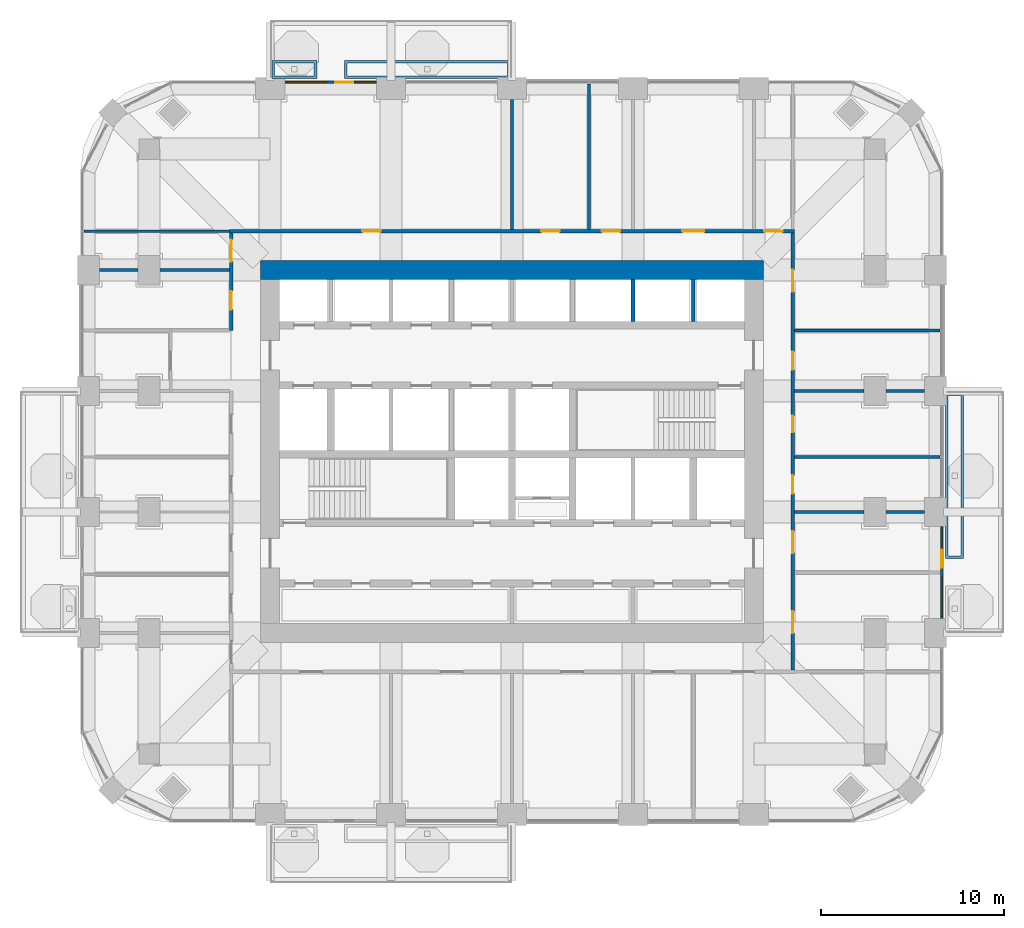
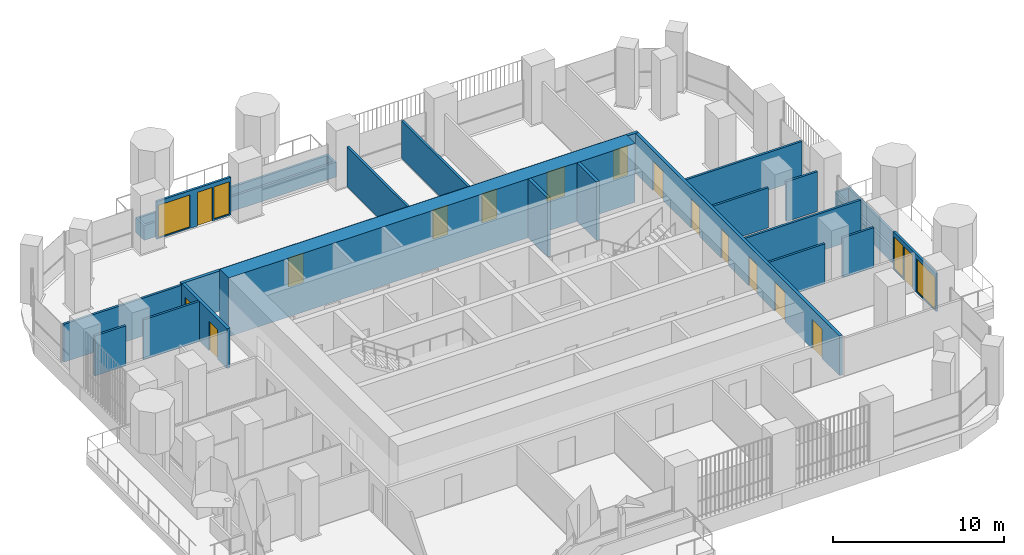
# One storey, part 14 of 20: 22 walls, 15 doors, 4 windows, 19 openings.
"""IFC4 building model written with IfcOpenShell, lengths in metres."""

from ifc_helpers import new_model, si_unit, direction, frame, frame_2d, origin, place, context, subcontext, project, spatial, polyline, rectangle, outline, extrude, material, layer, layer_set, type_object, element, fill, save


model = new_model("IFC4")

# Units and contexts
model_context = context("Model", 3, precision=1e-05, world=origin(), true_north=direction((0.0, 1.0)))
body_context = subcontext(model_context, "Body", "Model", "MODEL_VIEW")
ifc_project = project(units=[si_unit("LENGTHUNIT", "METRE"), si_unit("AREAUNIT", "SQUARE_METRE"), si_unit("VOLUMEUNIT", "CUBIC_METRE"), si_unit("PLANEANGLEUNIT", "RADIAN"), si_unit("MASSUNIT", "GRAM", prefix="KILO")], contexts=[model_context])

# Site, building, storey
site_placement = place(None, origin())
site = spatial("IfcSite", under=ifc_project, at=site_placement, CompositionType="ELEMENT")
building_placement = place(site_placement, origin())
building = spatial("IfcBuilding", under=site, at=building_placement, Name="Cobogo Forest Laboratory Tower", CompositionType="ELEMENT")
storey_placement = place(building_placement, frame((0.0, 0.0, 185.10009765625)))
storey = spatial("IfcBuildingStorey", under=building, at=storey_placement, Name="L42", CompositionType="ELEMENT", Elevation=185.10009765625)

# Wall
ifc_material_1 = material(Name="Concrete HA-50 (C50/60)", Category="concrete")
ifc_layer_1 = layer(ifc_material_1, 1.050048828125)
ifc_layer_set_1 = layer_set([ifc_layer_1], Name="CW1050 core outer wall 1050")
wall_type_1 = type_object("IfcWallType", Name="CW1050 core outer wall 1050", PredefinedType="SHEAR", material=ifc_layer_set_1)
wall_1_placement = place(storey_placement, frame((40.125, 33.0, 0.0), z_axis=(0.0, 0.0, 1.0), x_axis=(-1.0, 0.0, 0.0)))
element("IfcWall", 1, at=wall_1_placement, inside=storey, type_object=wall_type_1, Name="Core wall CO-N L42", PredefinedType="SHEAR", context=body_context, shape_type="SweptSolid", body=[
    extrude(rectangle(XDim=27.449951171875, YDim=1.050048828125, at=frame_2d((13.72509765625, 0.0))), origin(), (0.0, 0.0, 1.0), 4.199951171875),
])

# Wall, openings, door, windows
ifc_material_2 = material(Name="Aluminium framed glazed screen", Category="aluminium")
ifc_layer_2 = layer(ifc_material_2, 0.14990234375)
ifc_layer_set_2 = layer_set([ifc_layer_2], Name="GS1 glazed door screen 150")
wall_type_2 = type_object("IfcWallType", Name="GS1 glazed door screen 150", PredefinedType="SOLIDWALL", material=ifc_layer_set_2)
wall_2_placement = place(storey_placement, frame((49.85009765625, 14.0, 0.0), z_axis=(0.0, 0.0, 1.0), x_axis=(0.0, 1.0, 0.0)))
wall_2 = element("IfcWall", 2, at=wall_2_placement, inside=storey, type_object=wall_type_2, Name="Door screen BAL-E1 L42", PredefinedType="SOLIDWALL", context=body_context, shape_type="SweptSolid", body=[
    extrude(rectangle(XDim=5.0, YDim=0.14990234375, at=frame_2d((2.5, 0.0))), origin(), (0.0, 0.0, 1.0), 2.699951171875),
])
opening_1_placement = place(wall_2_placement, frame((2.75, 0.0, 0.0)))
opening_1 = element("IfcOpeningElement", 3, at=opening_1_placement, cuts=wall_2, Name="Opening L42-D19", PredefinedType="OPENING", context=body_context, shape_type="SweptSolid", body=[
    extrude(rectangle(XDim=1.0, YDim=2.39990234375, at=frame_2d((0.5, 1.199951171875))), frame((0.0, 0.0849609375, 0.0), z_axis=(0.0, -1.0, 0.0), x_axis=(1.0, 0.0, 0.0)), (0.0, 0.0, 1.0), 0.169921875),
])
opening_2_placement = place(wall_2_placement, frame((0.10009765625, 0.0, 0.10009765625)))
opening_2 = element("IfcOpeningElement", 4, at=opening_2_placement, cuts=wall_2, Name="Opening L42-W04", PredefinedType="OPENING", context=body_context, shape_type="SweptSolid", body=[
    extrude(rectangle(XDim=2.14990234375, YDim=2.300048828125, at=frame_2d((1.074951171875, 1.14990234375))), frame((0.0, 0.0849609375, 0.0), z_axis=(0.0, -1.0, 0.0), x_axis=(1.0, 0.0, 0.0)), (0.0, 0.0, 1.0), 0.169921875),
])
opening_3_placement = place(wall_2_placement, frame((3.85009765625, 0.0, 0.10009765625)))
opening_3 = element("IfcOpeningElement", 5, at=opening_3_placement, cuts=wall_2, Name="Opening L42-W06", PredefinedType="OPENING", context=body_context, shape_type="SweptSolid", body=[
    extrude(rectangle(XDim=1.050048828125, YDim=2.300048828125, at=frame_2d((0.52490234375, 1.14990234375))), frame((0.0, 0.0849609375, 0.0), z_axis=(0.0, -1.0, 0.0), x_axis=(1.0, 0.0, 0.0)), (0.0, 0.0, 1.0), 0.169921875),
])
ifc_material_3 = material(Name="Aluminium glazed door", Category="aluminium")
door_type_1 = type_object("IfcDoorType", Name="DB1 balcony door 1000 glazed", OperationType="SINGLE_SWING_LEFT", PredefinedType="DOOR", material=ifc_material_3)
door_1_placement = place(opening_1_placement, origin())
door_1 = element("IfcDoor", 6, at=door_1_placement, inside=storey, type_object=door_type_1, Name="Door L42-BAL-E1", OperationType="SINGLE_SWING_RIGHT", OverallHeight=2.39990234375, OverallWidth=1.0, PredefinedType="DOOR", context=body_context, shape_type="SweptSolid", body=[
    extrude(rectangle(XDim=1.0, YDim=2.39990234375, at=frame_2d((0.5, 1.199951171875))), frame((0.0, 0.02490234375, 0.0), z_axis=(0.0, -1.0, 0.0), x_axis=(1.0, 0.0, 0.0)), (0.0, 0.0, 1.0), 0.050048828125),
])
fill(opening_1, door_1)
ifc_material_4 = material(Name="Aluminium framed glazing", Category="aluminium")
window_type_1 = type_object("IfcWindowType", Name="WG13 fixed glazed light 2150x2300", PartitioningType="SINGLE_PANEL", PredefinedType="WINDOW", material=ifc_material_4)
window_1_placement = place(opening_2_placement, origin())
window_1 = element("IfcWindow", 7, at=window_1_placement, inside=storey, type_object=window_type_1, Name="Window L42-BAL-E1-1", OverallHeight=2.300048828125, OverallWidth=2.14990234375, PartitioningType="SINGLE_PANEL", PredefinedType="WINDOW", context=body_context, shape_type="SweptSolid", body=[
    extrude(rectangle(XDim=2.14990234375, YDim=2.300048828125, at=frame_2d((1.074951171875, 1.14990234375))), frame((0.0, 0.030029296875, 0.0), z_axis=(0.0, -1.0, 0.0), x_axis=(1.0, 0.0, 0.0)), (0.0, 0.0, 1.0), 0.06005859375),
])
fill(opening_2, window_1)
window_type_2 = type_object("IfcWindowType", Name="WG14 fixed glazed light 1050x2300", PartitioningType="SINGLE_PANEL", PredefinedType="WINDOW", material=ifc_material_4)
window_2_placement = place(opening_3_placement, origin())
window_2 = element("IfcWindow", 8, at=window_2_placement, inside=storey, type_object=window_type_2, Name="Window L42-BAL-E1-2", OverallHeight=2.300048828125, OverallWidth=1.050048828125, PartitioningType="SINGLE_PANEL", PredefinedType="WINDOW", context=body_context, shape_type="SweptSolid", body=[
    extrude(rectangle(XDim=1.050048828125, YDim=2.300048828125, at=frame_2d((0.52490234375, 1.14990234375))), frame((0.0, 0.030029296875, 0.0), z_axis=(0.0, -1.0, 0.0), x_axis=(1.0, 0.0, 0.0)), (0.0, 0.0, 1.0), 0.06005859375),
])
fill(opening_3, window_2)

wall_3_placement = place(storey_placement, frame((19.0, 43.25, 0.0), z_axis=(0.0, 0.0, 1.0), x_axis=(-1.0, 0.0, 0.0)))
wall_3 = element("IfcWall", 9, at=wall_3_placement, inside=storey, type_object=wall_type_2, Name="Door screen BAL-N1 L42", PredefinedType="SOLIDWALL", context=body_context, shape_type="SweptSolid", body=[
    extrude(rectangle(XDim=5.0, YDim=0.14990234375, at=frame_2d((2.5, 0.0))), origin(), (0.0, 0.0, 1.0), 2.699951171875),
])
opening_4_placement = place(wall_3_placement, frame((1.25, 0.0, 0.0)))
opening_4 = element("IfcOpeningElement", 10, at=opening_4_placement, cuts=wall_3, Name="Opening L42-D45", PredefinedType="OPENING", context=body_context, shape_type="SweptSolid", body=[
    extrude(rectangle(XDim=1.0, YDim=2.39990234375, at=frame_2d((0.5, 1.199951171875))), frame((0.0, 0.0849609375, 0.0), z_axis=(0.0, -1.0, 0.0), x_axis=(1.0, 0.0, 0.0)), (0.0, 0.0, 1.0), 0.169921875),
])
opening_5_placement = place(wall_3_placement, frame((0.10009765625, 0.0, 0.10009765625)))
opening_5 = element("IfcOpeningElement", 11, at=opening_5_placement, cuts=wall_3, Name="Opening L42-W08", PredefinedType="OPENING", context=body_context, shape_type="SweptSolid", body=[
    extrude(rectangle(XDim=1.050048828125, YDim=2.300048828125, at=frame_2d((0.52490234375, 1.14990234375))), frame((0.0, 0.0849609375, 0.0), z_axis=(0.0, -1.0, 0.0), x_axis=(1.0, 0.0, 0.0)), (0.0, 0.0, 1.0), 0.169921875),
])
opening_6_placement = place(wall_3_placement, frame((2.75, 0.0, 0.10009765625)))
opening_6 = element("IfcOpeningElement", 12, at=opening_6_placement, cuts=wall_3, Name="Opening L42-W07", PredefinedType="OPENING", context=body_context, shape_type="SweptSolid", body=[
    extrude(rectangle(XDim=2.14990234375, YDim=2.300048828125, at=frame_2d((1.074951171875, 1.14990234375))), frame((0.0, 0.0849609375, 0.0), z_axis=(0.0, -1.0, 0.0), x_axis=(1.0, 0.0, 0.0)), (0.0, 0.0, 1.0), 0.169921875),
])
door_2_placement = place(opening_4_placement, origin())
door_2 = element("IfcDoor", 13, at=door_2_placement, inside=storey, type_object=door_type_1, Name="Door L42-BAL-N1", OperationType="SINGLE_SWING_LEFT", OverallHeight=2.39990234375, OverallWidth=1.0, PredefinedType="DOOR", context=body_context, shape_type="SweptSolid", body=[
    extrude(rectangle(XDim=1.0, YDim=2.39990234375, at=frame_2d((0.5, 1.199951171875))), frame((0.0, 0.02490234375, 0.0), z_axis=(0.0, -1.0, 0.0), x_axis=(1.0, 0.0, 0.0)), (0.0, 0.0, 1.0), 0.050048828125),
])
fill(opening_4, door_2)
window_3_placement = place(opening_6_placement, origin())
window_3 = element("IfcWindow", 14, at=window_3_placement, inside=storey, type_object=window_type_1, Name="Window L42-BAL-N1-2", OverallHeight=2.300048828125, OverallWidth=2.14990234375, PartitioningType="SINGLE_PANEL", PredefinedType="WINDOW", context=body_context, shape_type="SweptSolid", body=[
    extrude(rectangle(XDim=2.14990234375, YDim=2.300048828125, at=frame_2d((1.074951171875, 1.14990234375))), frame((0.0, 0.030029296875, 0.0), z_axis=(0.0, -1.0, 0.0), x_axis=(1.0, 0.0, 0.0)), (0.0, 0.0, 1.0), 0.06005859375),
])
fill(opening_6, window_3)
window_4_placement = place(opening_5_placement, origin())
window_4 = element("IfcWindow", 15, at=window_4_placement, inside=storey, type_object=window_type_2, Name="Window L42-BAL-N1-1", OverallHeight=2.300048828125, OverallWidth=1.050048828125, PartitioningType="SINGLE_PANEL", PredefinedType="WINDOW", context=body_context, shape_type="SweptSolid", body=[
    extrude(rectangle(XDim=1.050048828125, YDim=2.300048828125, at=frame_2d((0.52490234375, 1.14990234375))), frame((0.0, 0.030029296875, 0.0), z_axis=(0.0, -1.0, 0.0), x_axis=(1.0, 0.0, 0.0)), (0.0, 0.0, 1.0), 0.06005859375),
])
fill(opening_5, window_4)

# Walls
ifc_material_5 = material(Name="Gypsum board on steel studs", Category="steel")
ifc_layer_3 = layer(ifc_material_5, 0.14990234375)
ifc_layer_set_3 = layer_set([ifc_layer_3], Name="PT1 laboratory partition 150")
wall_type_3 = type_object("IfcWallType", Name="PT1 laboratory partition 150", PredefinedType="PARTITIONING", material=ifc_layer_set_3)
for number, where, z_axis, x_axis, name in (
    (16, (3.030029296875, 35.125, 0.0), (0.0, 0.0, 1.0), (1.0, 0.0, 0.0), "Partition PW-NW L42"),
    (17, (49.77001953125, 22.800048828125, 0.0), (0.0, 0.0, 1.0), (-1.0, 0.0, 0.0), "Partition SVC-E1-1 L42"),
):
    element("IfcWall", number, at=place(storey_placement, frame(where, z_axis=z_axis, x_axis=x_axis)), inside=storey, type_object=wall_type_3, Name=name, PredefinedType="PARTITIONING", context=body_context, shape_type="SweptSolid", body=[
        extrude(rectangle(XDim=7.945068359375, YDim=0.14990234375, at=frame_2d((3.97265625, 0.0))), origin(), (0.0, 0.0, 1.0), 2.699951171875),
    ])
wall_4_placement = place(storey_placement, frame((48.89990234375, 26.39990234375, 0.0), z_axis=(0.0, 0.0, 1.0), x_axis=(-1.0, 0.0, 0.0)))
element("IfcWall", 18, at=wall_4_placement, inside=storey, type_object=wall_type_3, Name="Partition SVC-E2-1 L42", PredefinedType="PARTITIONING", context=body_context, shape_type="SweptSolid", body=[
    extrude(rectangle(XDim=2.099853515625, YDim=0.14990234375, at=frame_2d((1.0498046875, 0.0))), origin(), (0.0, 0.0, 1.0), 2.849853515625),
])
wall_5_placement = place(storey_placement, frame((45.60009765625, 26.39990234375, 0.0), z_axis=(0.0, 0.0, 1.0), x_axis=(-1.0, 0.0, 0.0)))
element("IfcWall", 19, at=wall_5_placement, inside=storey, type_object=wall_type_3, Name="Partition SVC-E2-2 L42", PredefinedType="PARTITIONING", context=body_context, shape_type="SweptSolid", body=[
    extrude(rectangle(XDim=3.775146484375, YDim=0.14990234375, at=frame_2d((1.8876953125, 0.0))), origin(), (0.0, 0.0, 1.0), 2.849853515625),
])
wall_6_placement = place(storey_placement, frame((48.89990234375, 19.800048828125, 0.0), z_axis=(0.0, 0.0, 1.0), x_axis=(-1.0, 0.0, 0.0)))
element("IfcWall", 20, at=wall_6_placement, inside=storey, type_object=wall_type_3, Name="Partition CUT-E19.8-1 L42", PredefinedType="PARTITIONING", context=body_context, shape_type="SweptSolid", body=[
    extrude(rectangle(XDim=2.099853515625, YDim=0.14990234375, at=frame_2d((1.0498046875, 0.0))), origin(), (0.0, 0.0, 1.0), 2.849853515625),
])
wall_7_placement = place(storey_placement, frame((45.60009765625, 19.800048828125, 0.0), z_axis=(0.0, 0.0, 1.0), x_axis=(-1.0, 0.0, 0.0)))
element("IfcWall", 21, at=wall_7_placement, inside=storey, type_object=wall_type_3, Name="Partition CUT-E19.8-2 L42", PredefinedType="PARTITIONING", context=body_context, shape_type="SweptSolid", body=[
    extrude(rectangle(XDim=3.775146484375, YDim=0.14990234375, at=frame_2d((1.8876953125, 0.0))), origin(), (0.0, 0.0, 1.0), 2.849853515625),
])
wall_8_placement = place(storey_placement, frame((49.77001953125, 29.699951171875, 0.0), z_axis=(0.0, 0.0, 1.0), x_axis=(-1.0, 0.0, 0.0)))
element("IfcWall", 22, at=wall_8_placement, inside=storey, type_object=wall_type_3, Name="Partition CUT-E29.7-1 L42", PredefinedType="PARTITIONING", context=body_context, shape_type="SweptSolid", body=[
    extrude(rectangle(XDim=7.945068359375, YDim=0.14990234375, at=frame_2d((3.97265625, 0.0))), origin(), (0.0, 0.0, 1.0), 2.699951171875),
])
wall_9_placement = place(storey_placement, frame((30.60009765625, 43.169921875, 0.0), z_axis=(0.0, 0.0, 1.0), x_axis=(0.0, -1.0, 0.0)))
element("IfcWall", 23, at=wall_9_placement, inside=storey, type_object=wall_type_3, Name="Partition SVC-N1-1 L42", PredefinedType="PARTITIONING", context=body_context, shape_type="SweptSolid", body=[
    extrude(rectangle(XDim=7.94482421875, YDim=0.14990234375, at=frame_2d((3.972412109375, 0.0))), origin(), (0.0, 0.0, 1.0), 2.699951171875),
])
wall_10_placement = place(storey_placement, frame((26.39990234375, 42.300048828125, 0.0), z_axis=(0.0, 0.0, 1.0), x_axis=(0.0, -1.0, 0.0)))
element("IfcWall", 24, at=wall_10_placement, inside=storey, type_object=wall_type_3, Name="Partition CUT-N26.4-1 L42", PredefinedType="PARTITIONING", context=body_context, shape_type="SweptSolid", body=[
    extrude(rectangle(XDim=7.074951171875, YDim=0.14990234375, at=frame_2d((3.53759765625, 0.0))), origin(), (0.0, 0.0, 1.0), 2.849853515625),
])
wall_11_placement = place(storey_placement, frame((3.89990234375, 33.0, 0.0), z_axis=(0.0, 0.0, 1.0), x_axis=(1.0, 0.0, 0.0)))
element("IfcWall", 25, at=wall_11_placement, inside=storey, type_object=wall_type_3, Name="Partition CUT-W33-1 L42", PredefinedType="PARTITIONING", context=body_context, shape_type="SweptSolid", body=[
    extrude(rectangle(XDim=2.10009765625, YDim=0.14990234375, at=frame_2d((1.050048828125, 0.0))), origin(), (0.0, 0.0, 1.0), 2.849853515625),
])
wall_12_placement = place(storey_placement, frame((7.199951171875, 33.0, 0.0), z_axis=(0.0, 0.0, 1.0), x_axis=(1.0, 0.0, 0.0)))
element("IfcWall", 26, at=wall_12_placement, inside=storey, type_object=wall_type_3, Name="Partition CUT-W33-2 L42", PredefinedType="PARTITIONING", context=body_context, shape_type="SweptSolid", body=[
    extrude(rectangle(XDim=3.775146484375, YDim=0.14990234375, at=frame_2d((1.8876953125, 0.0))), origin(), (0.0, 0.0, 1.0), 2.849853515625),
])

# Wall, openings, doors
ifc_layer_4 = layer(ifc_material_5, 0.199951171875)
ifc_layer_set_4 = layer_set([ifc_layer_4], Name="PT2 fire-rated corridor partition 200")
wall_type_4 = type_object("IfcWallType", Name="PT2 fire-rated corridor partition 200", PredefinedType="PARTITIONING", material=ifc_layer_set_4)
wall_13_placement = place(storey_placement, frame((10.97509765625, 35.125, 0.0), z_axis=(0.0, 0.0, 1.0), x_axis=(1.0, 0.0, 0.0)))
wall_13 = element("IfcWall", 27, at=wall_13_placement, inside=storey, type_object=wall_type_4, Name="Partition CORR-N L42", PredefinedType="PARTITIONING", context=body_context, shape_type="SweptSolid", body=[
    extrude(rectangle(XDim=30.849853515625, YDim=0.199951171875, at=frame_2d((15.4248046875, 0.0))), origin(), (0.0, 0.0, 1.0), 2.849853515625),
])
opening_7_placement = place(wall_13_placement, frame((7.262451171875, 0.0, 0.0)))
opening_7 = element("IfcOpeningElement", 28, at=opening_7_placement, cuts=wall_13, Name="Opening L42-D40", PredefinedType="OPENING", context=body_context, shape_type="SweptSolid", body=[
    extrude(rectangle(XDim=1.0, YDim=2.10009765625, at=frame_2d((0.5, 1.050048828125))), frame((0.0, 0.10986328125, 0.0), z_axis=(0.0, -1.0, 0.0), x_axis=(1.0, 0.0, 0.0)), (0.0, 0.0, 1.0), 0.219970703125),
])
opening_8_placement = place(wall_13_placement, frame((17.02490234375, 0.0, 0.0)))
opening_8 = element("IfcOpeningElement", 29, at=opening_8_placement, cuts=wall_13, Name="Opening L42-D41", PredefinedType="OPENING", context=body_context, shape_type="SweptSolid", body=[
    extrude(rectangle(XDim=1.0, YDim=2.10009765625, at=frame_2d((0.5, 1.050048828125))), frame((0.0, 0.10986328125, 0.0), z_axis=(0.0, -1.0, 0.0), x_axis=(1.0, 0.0, 0.0)), (0.0, 0.0, 1.0), 0.219970703125),
])
opening_9_placement = place(wall_13_placement, frame((20.324951171875, 0.0, 0.0)))
opening_9 = element("IfcOpeningElement", 30, at=opening_9_placement, cuts=wall_13, Name="Opening L42-D42", PredefinedType="OPENING", context=body_context, shape_type="SweptSolid", body=[
    extrude(rectangle(XDim=1.0, YDim=2.10009765625, at=frame_2d((0.5, 1.050048828125))), frame((0.0, 0.10986328125, 0.0), z_axis=(0.0, -1.0, 0.0), x_axis=(1.0, 0.0, 0.0)), (0.0, 0.0, 1.0), 0.219970703125),
])
opening_10_placement = place(wall_13_placement, frame((24.72509765625, 0.0, 0.0)))
opening_10 = element("IfcOpeningElement", 31, at=opening_10_placement, cuts=wall_13, Name="Opening L42-D43", PredefinedType="OPENING", context=body_context, shape_type="SweptSolid", body=[
    extrude(rectangle(XDim=1.199951171875, YDim=2.10009765625, at=frame_2d((0.60009765625, 1.050048828125))), frame((0.0, 0.10986328125, 0.0), z_axis=(0.0, -1.0, 0.0), x_axis=(1.0, 0.0, 0.0)), (0.0, 0.0, 1.0), 0.219970703125),
])
opening_11_placement = place(wall_13_placement, frame((29.1875, 0.0, 0.0)))
opening_11 = element("IfcOpeningElement", 32, at=opening_11_placement, cuts=wall_13, Name="Opening L42-D44", PredefinedType="OPENING", context=body_context, shape_type="SweptSolid", body=[
    extrude(rectangle(XDim=1.0, YDim=2.10009765625, at=frame_2d((0.5, 1.050048828125))), frame((0.0, 0.10986328125, 0.0), z_axis=(0.0, -1.0, 0.0), x_axis=(1.0, 0.0, 0.0)), (0.0, 0.0, 1.0), 0.219970703125),
])
ifc_material_6 = material(Name="Timber door", Category="wood")
door_type_2 = type_object("IfcDoorType", Name="D2 laboratory door 1200 unequal pair", OperationType="DOUBLE_DOOR_SINGLE_SWING", PredefinedType="DOOR", material=ifc_material_6)
door_3_placement = place(opening_10_placement, origin())
door_3 = element("IfcDoor", 33, at=door_3_placement, inside=storey, type_object=door_type_2, Name="Door L42-N2", OperationType="DOUBLE_DOOR_SINGLE_SWING", OverallHeight=2.10009765625, OverallWidth=1.199951171875, PredefinedType="DOOR", context=body_context, shape_type="SweptSolid", body=[
    extrude(rectangle(XDim=1.199951171875, YDim=2.10009765625, at=frame_2d((0.60009765625, 1.050048828125))), frame((0.0, 0.02490234375, 0.0), z_axis=(0.0, -1.0, 0.0), x_axis=(1.0, 0.0, 0.0)), (0.0, 0.0, 1.0), 0.050048828125),
])
fill(opening_10, door_3)
ifc_material_7 = material(Name="Timber fire door", Category="wood")
door_type_3 = type_object("IfcDoorType", Name="FD2 fire door 1000 EI2 30", OperationType="SINGLE_SWING_LEFT", PredefinedType="DOOR", material=ifc_material_7)
door_4_placement = place(opening_7_placement, origin())
door_4 = element("IfcDoor", 34, at=door_4_placement, inside=storey, type_object=door_type_3, Name="Door L42-N1", OperationType="SINGLE_SWING_LEFT", OverallHeight=2.10009765625, OverallWidth=1.0, PredefinedType="DOOR", context=body_context, shape_type="SweptSolid", body=[
    extrude(rectangle(XDim=1.0, YDim=2.10009765625, at=frame_2d((0.5, 1.050048828125))), frame((0.0, 0.02490234375, 0.0), z_axis=(0.0, -1.0, 0.0), x_axis=(1.0, 0.0, 0.0)), (0.0, 0.0, 1.0), 0.050048828125),
])
fill(opening_7, door_4)
door_5_placement = place(opening_8_placement, origin())
door_5 = element("IfcDoor", 35, at=door_5_placement, inside=storey, type_object=door_type_3, Name="Door L42-MTG", OperationType="SINGLE_SWING_RIGHT", OverallHeight=2.10009765625, OverallWidth=1.0, PredefinedType="DOOR", context=body_context, shape_type="SweptSolid", body=[
    extrude(rectangle(XDim=1.0, YDim=2.10009765625, at=frame_2d((0.5, 1.050048828125))), frame((0.0, 0.02490234375, 0.0), z_axis=(0.0, -1.0, 0.0), x_axis=(1.0, 0.0, 0.0)), (0.0, 0.0, 1.0), 0.050048828125),
])
fill(opening_8, door_5)
door_6_placement = place(opening_9_placement, origin())
door_6 = element("IfcDoor", 36, at=door_6_placement, inside=storey, type_object=door_type_3, Name="Door L42-PAN", OperationType="SINGLE_SWING_RIGHT", OverallHeight=2.10009765625, OverallWidth=1.0, PredefinedType="DOOR", context=body_context, shape_type="SweptSolid", body=[
    extrude(rectangle(XDim=1.0, YDim=2.10009765625, at=frame_2d((0.5, 1.050048828125))), frame((0.0, 0.02490234375, 0.0), z_axis=(0.0, -1.0, 0.0), x_axis=(1.0, 0.0, 0.0)), (0.0, 0.0, 1.0), 0.050048828125),
])
fill(opening_9, door_6)
door_7_placement = place(opening_11_placement, origin())
door_7 = element("IfcDoor", 37, at=door_7_placement, inside=storey, type_object=door_type_3, Name="Door L42-N3", OperationType="SINGLE_SWING_RIGHT", OverallHeight=2.10009765625, OverallWidth=1.0, PredefinedType="DOOR", context=body_context, shape_type="SweptSolid", body=[
    extrude(rectangle(XDim=1.0, YDim=2.10009765625, at=frame_2d((0.5, 1.050048828125))), frame((0.0, 0.02490234375, 0.0), z_axis=(0.0, -1.0, 0.0), x_axis=(1.0, 0.0, 0.0)), (0.0, 0.0, 1.0), 0.050048828125),
])
fill(opening_11, door_7)

wall_14_placement = place(storey_placement, frame((11.074951171875, 29.699951171875, 0.0), z_axis=(0.0, 0.0, 1.0), x_axis=(0.0, 1.0, 0.0)))
wall_14 = element("IfcWall", 38, at=wall_14_placement, inside=storey, type_object=wall_type_4, Name="Partition CORR-W-2 L42", PredefinedType="PARTITIONING", context=body_context, shape_type="SweptSolid", body=[
    extrude(rectangle(XDim=5.324951171875, YDim=0.199951171875, at=frame_2d((2.66259765625, 0.0))), origin(), (0.0, 0.0, 1.0), 2.849853515625),
])
opening_12_placement = place(wall_14_placement, frame((1.14990234375, 0.0, 0.0)))
opening_12 = element("IfcOpeningElement", 39, at=opening_12_placement, cuts=wall_14, Name="Opening L42-D37", PredefinedType="OPENING", context=body_context, shape_type="SweptSolid", body=[
    extrude(rectangle(XDim=1.0, YDim=2.10009765625, at=frame_2d((0.5, 1.050048828125))), frame((0.0, 0.10986328125, 0.0), z_axis=(0.0, -1.0, 0.0), x_axis=(1.0, 0.0, 0.0)), (0.0, 0.0, 1.0), 0.219970703125),
])
opening_13_placement = place(wall_14_placement, frame((3.762451171875, 0.0, 0.0)))
opening_13 = element("IfcOpeningElement", 40, at=opening_13_placement, cuts=wall_14, Name="Opening L42-D39", PredefinedType="OPENING", context=body_context, shape_type="SweptSolid", body=[
    extrude(rectangle(XDim=1.199951171875, YDim=2.10009765625, at=frame_2d((0.60009765625, 1.050048828125))), frame((0.0, 0.10986328125, 0.0), z_axis=(0.0, -1.0, 0.0), x_axis=(1.0, 0.0, 0.0)), (0.0, 0.0, 1.0), 0.219970703125),
])
door_8_placement = place(opening_13_placement, origin())
door_8 = element("IfcDoor", 41, at=door_8_placement, inside=storey, type_object=door_type_2, Name="Door L42-W5", OperationType="DOUBLE_DOOR_SINGLE_SWING", OverallHeight=2.10009765625, OverallWidth=1.199951171875, PredefinedType="DOOR", context=body_context, shape_type="SweptSolid", body=[
    extrude(rectangle(XDim=1.199951171875, YDim=2.10009765625, at=frame_2d((0.60009765625, 1.050048828125))), frame((0.0, 0.02490234375, 0.0), z_axis=(0.0, -1.0, 0.0), x_axis=(1.0, 0.0, 0.0)), (0.0, 0.0, 1.0), 0.050048828125),
])
fill(opening_13, door_8)
door_9_placement = place(opening_12_placement, origin())
door_9 = element("IfcDoor", 42, at=door_9_placement, inside=storey, type_object=door_type_3, Name="Door L42-W4", OperationType="SINGLE_SWING_LEFT", OverallHeight=2.10009765625, OverallWidth=1.0, PredefinedType="DOOR", context=body_context, shape_type="SweptSolid", body=[
    extrude(rectangle(XDim=1.0, YDim=2.10009765625, at=frame_2d((0.5, 1.050048828125))), frame((0.0, 0.02490234375, 0.0), z_axis=(0.0, -1.0, 0.0), x_axis=(1.0, 0.0, 0.0)), (0.0, 0.0, 1.0), 0.050048828125),
])
fill(opening_12, door_9)

wall_15_placement = place(storey_placement, frame((41.72509765625, 11.175048828125, 0.0), z_axis=(0.0, 0.0, 1.0), x_axis=(0.0, 1.0, 0.0)))
wall_15 = element("IfcWall", 43, at=wall_15_placement, inside=storey, type_object=wall_type_4, Name="Partition CORR-E L42", PredefinedType="PARTITIONING", context=body_context, shape_type="SweptSolid", body=[
    extrude(rectangle(XDim=23.849853515625, YDim=0.199951171875, at=frame_2d((11.9248046875, 0.0))), origin(), (0.0, 0.0, 1.0), 2.849853515625),
])
opening_14_placement = place(wall_15_placement, frame((2.012451171875, 0.0, 0.0)))
opening_14 = element("IfcOpeningElement", 44, at=opening_14_placement, cuts=wall_15, Name="Opening L42-D08", PredefinedType="OPENING", context=body_context, shape_type="SweptSolid", body=[
    extrude(rectangle(XDim=1.199951171875, YDim=2.10009765625, at=frame_2d((0.60009765625, 1.050048828125))), frame((0.0, 0.10986328125, 0.0), z_axis=(0.0, -1.0, 0.0), x_axis=(1.0, 0.0, 0.0)), (0.0, 0.0, 1.0), 0.219970703125),
])
opening_15_placement = place(wall_15_placement, frame((6.375, 0.0, 0.0)))
opening_15 = element("IfcOpeningElement", 45, at=opening_15_placement, cuts=wall_15, Name="Opening L42-D23", PredefinedType="OPENING", context=body_context, shape_type="SweptSolid", body=[
    extrude(rectangle(XDim=1.199951171875, YDim=2.10009765625, at=frame_2d((0.60009765625, 1.050048828125))), frame((0.0, 0.10986328125, 0.0), z_axis=(0.0, -1.0, 0.0), x_axis=(1.0, 0.0, 0.0)), (0.0, 0.0, 1.0), 0.219970703125),
])
opening_16_placement = place(wall_15_placement, frame((9.625, 0.0, 0.0)))
opening_16 = element("IfcOpeningElement", 46, at=opening_16_placement, cuts=wall_15, Name="Opening L42-D29", PredefinedType="OPENING", context=body_context, shape_type="SweptSolid", body=[
    extrude(rectangle(XDim=1.0, YDim=2.10009765625, at=frame_2d((0.5, 1.050048828125))), frame((0.0, 0.10986328125, 0.0), z_axis=(0.0, -1.0, 0.0), x_axis=(1.0, 0.0, 0.0)), (0.0, 0.0, 1.0), 0.219970703125),
])
opening_17_placement = place(wall_15_placement, frame((12.97509765625, 0.0, 0.0)))
opening_17 = element("IfcOpeningElement", 47, at=opening_17_placement, cuts=wall_15, Name="Opening L42-D31", PredefinedType="OPENING", context=body_context, shape_type="SweptSolid", body=[
    extrude(rectangle(XDim=0.89990234375, YDim=2.10009765625, at=frame_2d((0.449951171875, 1.050048828125))), frame((0.0, 0.10986328125, 0.0), z_axis=(0.0, -1.0, 0.0), x_axis=(1.0, 0.0, 0.0)), (0.0, 0.0, 1.0), 0.219970703125),
])
opening_18_placement = place(wall_15_placement, frame((16.375, 0.0, 0.0)))
opening_18 = element("IfcOpeningElement", 48, at=opening_18_placement, cuts=wall_15, Name="Opening L42-D34", PredefinedType="OPENING", context=body_context, shape_type="SweptSolid", body=[
    extrude(rectangle(XDim=1.0, YDim=2.10009765625, at=frame_2d((0.5, 1.050048828125))), frame((0.0, 0.10986328125, 0.0), z_axis=(0.0, -1.0, 0.0), x_axis=(1.0, 0.0, 0.0)), (0.0, 0.0, 1.0), 0.219970703125),
])
opening_19_placement = place(wall_15_placement, frame((20.637451171875, 0.0, 0.0)))
opening_19 = element("IfcOpeningElement", 49, at=opening_19_placement, cuts=wall_15, Name="Opening L42-D38", PredefinedType="OPENING", context=body_context, shape_type="SweptSolid", body=[
    extrude(rectangle(XDim=1.199951171875, YDim=2.10009765625, at=frame_2d((0.60009765625, 1.050048828125))), frame((0.0, 0.10986328125, 0.0), z_axis=(0.0, -1.0, 0.0), x_axis=(1.0, 0.0, 0.0)), (0.0, 0.0, 1.0), 0.219970703125),
])
door_10_placement = place(opening_14_placement, origin())
door_10 = element("IfcDoor", 50, at=door_10_placement, inside=storey, type_object=door_type_2, Name="Door L42-E1", OperationType="DOUBLE_DOOR_SINGLE_SWING", OverallHeight=2.10009765625, OverallWidth=1.199951171875, PredefinedType="DOOR", context=body_context, shape_type="SweptSolid", body=[
    extrude(rectangle(XDim=1.199951171875, YDim=2.10009765625, at=frame_2d((0.60009765625, 1.050048828125))), frame((0.0, 0.02490234375, 0.0), z_axis=(0.0, -1.0, 0.0), x_axis=(1.0, 0.0, 0.0)), (0.0, 0.0, 1.0), 0.050048828125),
])
fill(opening_14, door_10)
door_11_placement = place(opening_15_placement, origin())
door_11 = element("IfcDoor", 51, at=door_11_placement, inside=storey, type_object=door_type_2, Name="Door L42-E2", OperationType="DOUBLE_DOOR_SINGLE_SWING", OverallHeight=2.10009765625, OverallWidth=1.199951171875, PredefinedType="DOOR", context=body_context, shape_type="SweptSolid", body=[
    extrude(rectangle(XDim=1.199951171875, YDim=2.10009765625, at=frame_2d((0.60009765625, 1.050048828125))), frame((0.0, 0.02490234375, 0.0), z_axis=(0.0, -1.0, 0.0), x_axis=(1.0, 0.0, 0.0)), (0.0, 0.0, 1.0), 0.050048828125),
])
fill(opening_15, door_11)
door_12_placement = place(opening_19_placement, origin())
door_12 = element("IfcDoor", 52, at=door_12_placement, inside=storey, type_object=door_type_2, Name="Door L42-E4", OperationType="DOUBLE_DOOR_SINGLE_SWING", OverallHeight=2.10009765625, OverallWidth=1.199951171875, PredefinedType="DOOR", context=body_context, shape_type="SweptSolid", body=[
    extrude(rectangle(XDim=1.199951171875, YDim=2.10009765625, at=frame_2d((0.60009765625, 1.050048828125))), frame((0.0, 0.02490234375, 0.0), z_axis=(0.0, -1.0, 0.0), x_axis=(1.0, 0.0, 0.0)), (0.0, 0.0, 1.0), 0.050048828125),
])
fill(opening_19, door_12)
ifc_material_8 = material(Name="Steel fire door", Category="steel")
door_type_4 = type_object("IfcDoorType", Name="FD1 fire door 1000 EI2 60", OperationType="SINGLE_SWING_LEFT", PredefinedType="DOOR", material=ifc_material_8)
door_13_placement = place(opening_16_placement, origin())
door_13 = element("IfcDoor", 53, at=door_13_placement, inside=storey, type_object=door_type_4, Name="Door L42-ELEC", OperationType="SINGLE_SWING_LEFT", OverallHeight=2.10009765625, OverallWidth=1.0, PredefinedType="DOOR", context=body_context, shape_type="SweptSolid", body=[
    extrude(rectangle(XDim=1.0, YDim=2.10009765625, at=frame_2d((0.5, 1.050048828125))), frame((0.0, 0.02490234375, 0.0), z_axis=(0.0, -1.0, 0.0), x_axis=(1.0, 0.0, 0.0)), (0.0, 0.0, 1.0), 0.050048828125),
])
fill(opening_16, door_13)
door_14_placement = place(opening_18_placement, origin())
door_14 = element("IfcDoor", 54, at=door_14_placement, inside=storey, type_object=door_type_3, Name="Door L42-E3", OperationType="SINGLE_SWING_RIGHT", OverallHeight=2.10009765625, OverallWidth=1.0, PredefinedType="DOOR", context=body_context, shape_type="SweptSolid", body=[
    extrude(rectangle(XDim=1.0, YDim=2.10009765625, at=frame_2d((0.5, 1.050048828125))), frame((0.0, 0.02490234375, 0.0), z_axis=(0.0, -1.0, 0.0), x_axis=(1.0, 0.0, 0.0)), (0.0, 0.0, 1.0), 0.050048828125),
])
fill(opening_18, door_14)
door_type_5 = type_object("IfcDoorType", Name="FD4 riser access door 900 EI2 60", OperationType="SINGLE_SWING_LEFT", PredefinedType="DOOR", material=ifc_material_8)
door_15_placement = place(opening_17_placement, origin())
door_15 = element("IfcDoor", 55, at=door_15_placement, inside=storey, type_object=door_type_5, Name="Door L42-COMMS", OperationType="SINGLE_SWING_RIGHT", OverallHeight=2.10009765625, OverallWidth=0.89990234375, PredefinedType="DOOR", context=body_context, shape_type="SweptSolid", body=[
    extrude(rectangle(XDim=0.89990234375, YDim=2.10009765625, at=frame_2d((0.449951171875, 1.050048828125))), frame((0.0, 0.02490234375, 0.0), z_axis=(0.0, -1.0, 0.0), x_axis=(1.0, 0.0, 0.0)), (0.0, 0.0, 1.0), 0.050048828125),
])
fill(opening_17, door_15)

# Walls
ifc_material_9 = material(Name="Concrete HA-40 (C40/50)", Category="concrete")
ifc_layer_5 = layer(ifc_material_9, 0.14990234375)
ifc_layer_set_5 = layer_set([ifc_layer_5], Name="Planter box 1000x1050")
wall_type_5 = type_object("IfcWallType", Name="Planter box 1000x1050", PredefinedType="USERDEFINED", material=ifc_layer_set_5)
wall_16_placement = place(storey_placement, origin())
element("IfcWall", 56, at=wall_16_placement, inside=storey, type_object=wall_type_5, Name="Planter BAL-E1-2 L42", ObjectType="PLANTER", PredefinedType="USERDEFINED", context=body_context, shape_type="SweptSolid", body=[
    extrude(outline(polyline([(50.050048828125, 17.25), (51.050048828125, 17.25), (51.050048828125, 26.300048828125), (50.050048828125, 26.300048828125), (50.050048828125, 17.25)]), holes=[polyline([(50.199951171875, 17.39990234375), (50.89990234375, 17.39990234375), (50.89990234375, 26.14990234375), (50.199951171875, 26.14990234375), (50.199951171875, 17.39990234375)])]), origin(), (0.0, 0.0, 1.0), 1.0498046875),
])
wall_17_placement = place(storey_placement, origin())
element("IfcWall", 57, at=wall_17_placement, inside=storey, type_object=wall_type_5, Name="Planter BAL-N1-1 L42", ObjectType="PLANTER", PredefinedType="USERDEFINED", context=body_context, shape_type="SweptSolid", body=[
    extrude(outline(polyline([(13.300048828125, 43.449951171875), (15.75, 43.449951171875), (15.75, 44.449951171875), (13.300048828125, 44.449951171875), (13.300048828125, 43.449951171875)]), holes=[polyline([(13.449951171875, 43.60009765625), (15.60009765625, 43.60009765625), (15.60009765625, 44.300048828125), (13.449951171875, 44.300048828125), (13.449951171875, 43.60009765625)])]), origin(), (0.0, 0.0, 1.0), 1.0498046875),
])
wall_18_placement = place(storey_placement, origin())
element("IfcWall", 58, at=wall_18_placement, inside=storey, type_object=wall_type_5, Name="Planter BAL-N1-2 L42", ObjectType="PLANTER", PredefinedType="USERDEFINED", context=body_context, shape_type="SweptSolid", body=[
    extrude(outline(polyline([(17.25, 43.449951171875), (26.300048828125, 43.449951171875), (26.300048828125, 44.449951171875), (17.25, 44.449951171875), (17.25, 43.449951171875)]), holes=[polyline([(17.39990234375, 43.60009765625), (26.14990234375, 43.60009765625), (26.14990234375, 44.300048828125), (17.39990234375, 44.300048828125), (17.39990234375, 43.60009765625)])]), origin(), (0.0, 0.0, 1.0), 1.0498046875),
])
ifc_material_10 = material(Name="Concrete block", Category="concrete")
ifc_layer_6 = layer(ifc_material_10, 0.199951171875)
ifc_layer_set_6 = layer_set([ifc_layer_6], Name="SW200 lift shaft separator 200")
wall_type_6 = type_object("IfcWallType", Name="SW200 lift shaft separator 200", PredefinedType="PARTITIONING", material=ifc_layer_set_6)
for number, where, z_axis, x_axis, name in (
    (59, (33.0, 30.199951171875, 0.0), (0.0, 0.0, 1.0), (0.0, 1.0, 0.0), "Core wall SEP-N6 L42"),
    (60, (36.300048828125, 30.199951171875, 0.0), (0.0, 0.0, 1.0), (0.0, 1.0, 0.0), "Core wall SEP-N7 L42"),
):
    element("IfcWall", number, at=place(storey_placement, frame(where, z_axis=z_axis, x_axis=x_axis)), inside=storey, type_object=wall_type_6, Name=name, PredefinedType="PARTITIONING", context=body_context, shape_type="SweptSolid", body=[
        extrude(rectangle(XDim=2.275146484375, YDim=0.199951171875, at=frame_2d((1.1376953125, 0.0))), origin(), (0.0, 0.0, 1.0), 4.199951171875),
    ])

save(model, "model.ifc")
